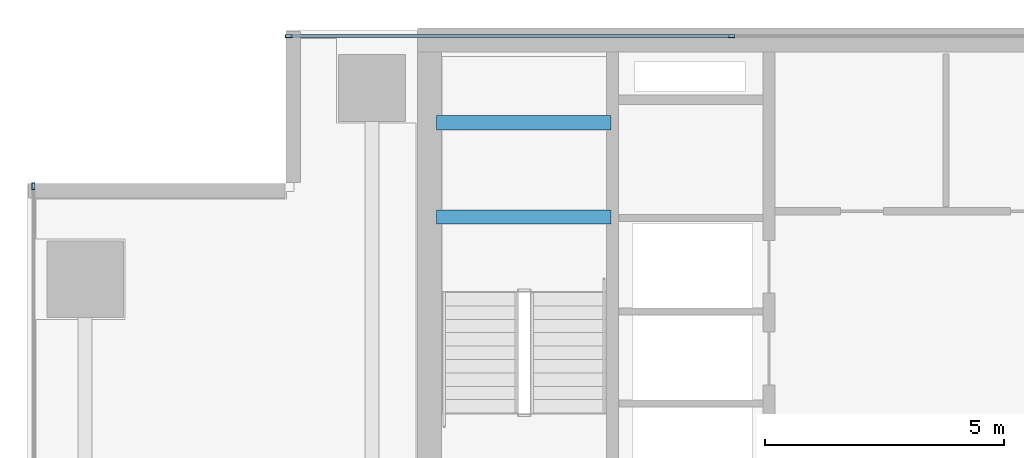
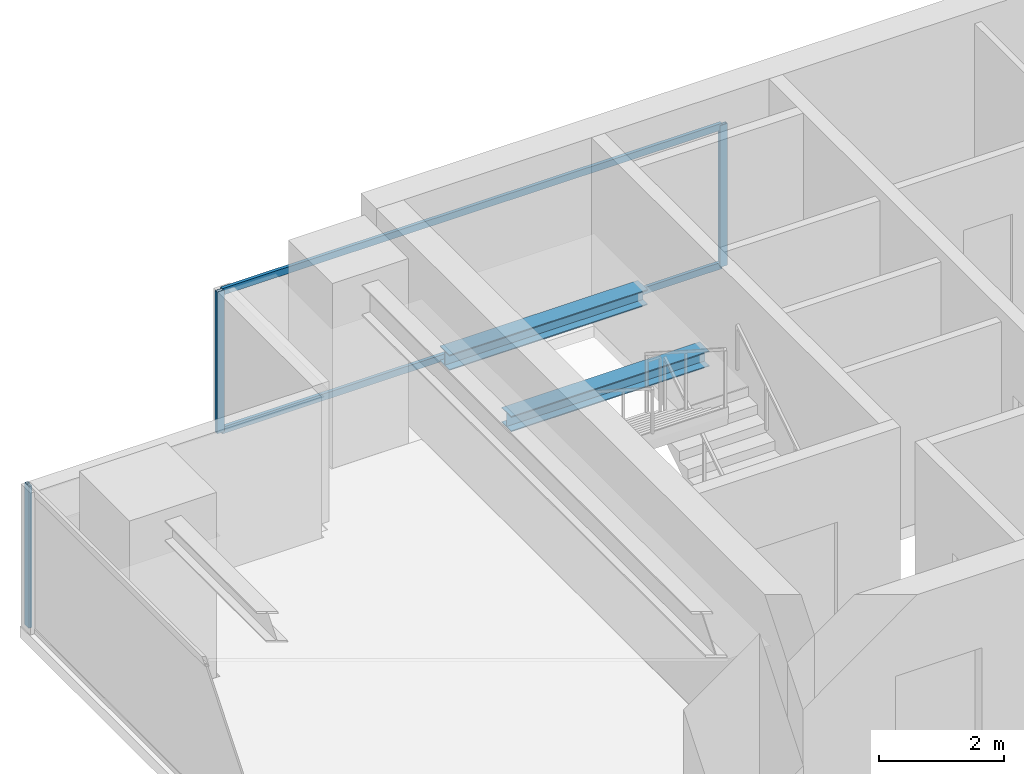
# One storey, part 19 of 29: 5 members, 2 beams, 2 elements without a shape of their own.
"""IFC4 building model written with IfcOpenShell, lengths in metres."""

import ifcopenshell
import ifcopenshell.guid

model = None  # the IFC model being written
_history = None  # IfcOwnerHistory: only IFC2X3 demands one
_inside = {}  # id of a spatial element -> (the spatial element, [elements in it])
_under = {}  # id of a project, library or spatial element -> (it, [spatial elements below it])
_declared = {}  # id of a project -> (the project, [libraries it declares])
_typed = {}  # id of a type object -> (the type object, [elements of that type])
_made_of = {}  # id of a material, layer set ... -> (it, [elements and type objects made of it])


def new_model(schema):
    """Start an empty IFC model of exactly this schema.

    Asked for "IFC4X3", IfcOpenShell would pick the latest addendum, in which some entities
    have other attributes; the version numbers below select the first issue.
    IFC2X3 requires an IfcOwnerHistory on every rooted entity: one is made here for all.
    """
    global model, _history
    if schema == "IFC4X3":
        model = ifcopenshell.file(schema_version=(4, 3, 0, 0))
    else:
        model = ifcopenshell.file(schema=schema)
    _inside.clear()
    _under.clear()
    _declared.clear()
    _typed.clear()
    _made_of.clear()
    _history = None
    if model.schema == "IFC2X3":
        org = make("IfcOrganization", Name="unknown")
        user = make(
            "IfcPersonAndOrganization",
            ThePerson=make("IfcPerson", FamilyName="unknown"),
            TheOrganization=org,
        )
        app = make(
            "IfcApplication",
            ApplicationDeveloper=org,
            Version="unknown",
            ApplicationFullName="unknown",
            ApplicationIdentifier="unknown",
        )
        _history = make(
            "IfcOwnerHistory",
            OwningUser=user,
            OwningApplication=app,
            ChangeAction="ADDED",
            CreationDate=0,
        )
    return model


def make(cls, **values):
    """One entity of the class cls with the attributes given. An attribute that is None is left unset."""
    return model.create_entity(
        cls, **{name: value for name, value in values.items() if value is not None}
    )


def rooted(cls, **values):
    """An entity with a GlobalId (a new one), such as an element, a storey or a relation."""
    return make(cls, GlobalId=ifcopenshell.guid.new(), OwnerHistory=_history, **values)


def si_unit(unit_type, name, prefix=None):
    """IfcSIUnit, for example si_unit("LENGTHUNIT", "METRE", prefix="MILLI")."""
    return make("IfcSIUnit", UnitType=unit_type, Prefix=prefix, Name=name)


def assignment(units):
    """IfcUnitAssignment: the units of a project."""
    return None if units is None else make("IfcUnitAssignment", Units=units)


def point(xyz):
    """IfcCartesianPoint."""
    return None if xyz is None else make("IfcCartesianPoint", Coordinates=xyz)


def direction(xyz):
    """IfcDirection."""
    return None if xyz is None else make("IfcDirection", DirectionRatios=xyz)


def frame(location, z_axis=None, x_axis=None):
    """IfcAxis2Placement3D, a coordinate frame: its origin and axes. An axis left out is left unset."""
    return make(
        "IfcAxis2Placement3D",
        Location=point(location),
        Axis=direction(z_axis),
        RefDirection=direction(x_axis),
    )


def frame_2d(location, x_axis=None):
    """IfcAxis2Placement2D, a coordinate frame in the plane: its origin and x axis."""
    return make(
        "IfcAxis2Placement2D", Location=point(location), RefDirection=direction(x_axis)
    )


def origin():
    """The frame at (0, 0, 0) with its axes left unset."""
    return frame((0.0, 0.0, 0.0))


def origin_2d():
    """The frame at (0, 0) in the plane with its x axis left unset."""
    return frame_2d((0.0, 0.0))


def place(relative_to, where):
    """IfcLocalPlacement: puts the frame where relative to a parent placement (None: the world)."""
    return make(
        "IfcLocalPlacement", PlacementRelTo=relative_to, RelativePlacement=where
    )


def context(
    kind, dimensions, precision=None, world=None, true_north=None, identifier=None
):
    """IfcGeometricRepresentationContext, for example the 3D "Model" context."""
    return make(
        "IfcGeometricRepresentationContext",
        ContextIdentifier=identifier,
        ContextType=kind,
        CoordinateSpaceDimension=dimensions,
        Precision=precision,
        WorldCoordinateSystem=world,
        TrueNorth=true_north,
    )


def subcontext(parent, identifier, kind, view, scale=None):
    """IfcGeometricRepresentationSubContext, for example "Body" below "Model"."""
    return make(
        "IfcGeometricRepresentationSubContext",
        ContextIdentifier=identifier,
        ContextType=kind,
        ParentContext=parent,
        TargetScale=scale,
        TargetView=view,
    )


def project(units=None, contexts=None):
    """IfcProject with its units and contexts."""
    return rooted(
        "IfcProject",
        Name="project",
        RepresentationContexts=contexts,
        UnitsInContext=assignment(units),
    )


def spatial(cls, under=None, at=None, **own):
    """A site, building, storey or space (cls), placed at a placement, below another one or the project."""
    s = rooted(cls, ObjectPlacement=at, **own)
    if under is not None:
        _under.setdefault(under.id(), (under, []))[1].append(s)
    return s


def profile(cls, at=None, kind="AREA", **sizes):
    """A parametric profile (cls). Its sizes go by their IFC names, for example OverallWidth=200.0."""
    return make(cls, ProfileType=kind, Position=at, **sizes)


def hollow_rectangle(**sizes):
    """IfcRectangleHollowProfileDef."""
    return profile("IfcRectangleHollowProfileDef", **sizes)


def i_section(**sizes):
    """IfcIShapeProfileDef."""
    return profile("IfcIShapeProfileDef", **sizes)


def extrude(swept, where, along, depth):
    """IfcExtrudedAreaSolid: the profile swept, set in the frame where, extruded along a direction by depth."""
    return make(
        "IfcExtrudedAreaSolid",
        SweptArea=swept,
        Position=where,
        ExtrudedDirection=direction(along),
        Depth=depth,
    )


def shape(context_of_items, identifier, shape_type, items):
    """IfcShapeRepresentation: the items that make up one representation, for example the "Body"."""
    return make(
        "IfcShapeRepresentation",
        ContextOfItems=context_of_items,
        RepresentationIdentifier=identifier,
        RepresentationType=shape_type,
        Items=items,
    )


def source(mapping_origin, context_of_items, identifier, shape_type, items):
    """IfcRepresentationMap: a shape defined once, which mapped items show again and again."""
    return make(
        "IfcRepresentationMap",
        MappingOrigin=mapping_origin,
        MappedRepresentation=shape(context_of_items, identifier, shape_type, items),
    )


def transform(
    local_origin,
    x_axis=None,
    y_axis=None,
    z_axis=None,
    scale=None,
    scale2=None,
    scale3=None,
    uniform=True,
):
    """IfcCartesianTransformationOperator3D, or its non-uniform kind. x_axis, y_axis, z_axis: its Axis1, 2, 3."""
    if uniform:
        return make(
            "IfcCartesianTransformationOperator3D",
            Axis1=direction(x_axis),
            Axis2=direction(y_axis),
            LocalOrigin=point(local_origin),
            Scale=scale,
            Axis3=direction(z_axis),
        )
    return make(
        "IfcCartesianTransformationOperator3DnonUniform",
        Axis1=direction(x_axis),
        Axis2=direction(y_axis),
        LocalOrigin=point(local_origin),
        Scale=scale,
        Axis3=direction(z_axis),
        Scale2=scale2,
        Scale3=scale3,
    )


def mapped(mapping_source, mapping_target):
    """IfcMappedItem: shows the shape of a source again, moved by a transform."""
    return make(
        "IfcMappedItem", MappingSource=mapping_source, MappingTarget=mapping_target
    )


def material(Name=None, Category=None):
    """IfcMaterial."""
    return make("IfcMaterial", Name=Name, Category=Category)


def layer(
    of_material, thickness, ventilated=None, Name=None, Category=None, Priority=None
):
    """IfcMaterialLayer: one layer of a wall or slab, of a material (None: an air gap)."""
    return make(
        "IfcMaterialLayer",
        Material=of_material,
        LayerThickness=thickness,
        IsVentilated=ventilated,
        Name=Name,
        Category=Category,
        Priority=Priority,
    )


def layer_set(layers, Name=None):
    """IfcMaterialLayerSet."""
    return make("IfcMaterialLayerSet", MaterialLayers=layers, LayerSetName=Name)


def material_profile(
    of_material, cross_section, Name=None, Category=None, Priority=None
):
    """IfcMaterialProfile: a cross section and its material."""
    return make(
        "IfcMaterialProfile",
        Name=Name,
        Material=of_material,
        Profile=cross_section,
        Priority=Priority,
        Category=Category,
    )


def profile_set(profiles, Name=None, composite=None):
    """IfcMaterialProfileSet."""
    return make(
        "IfcMaterialProfileSet",
        Name=Name,
        MaterialProfiles=profiles,
        CompositeProfile=composite,
    )


def made_of(thing, what):
    """Note that an element or type object is made of a material, layer set ...; save() writes the relation."""
    if what is not None:
        _made_of.setdefault(what.id(), (what, []))[1].append(thing)
    return thing


def type_object(cls, material=None, **own):
    """A type object (cls), such as IfcWallType, which elements share."""
    return made_of(rooted(cls, **own), material)


def element(
    cls,
    number,
    at=None,
    inside=None,
    cuts=None,
    type_object=None,
    material=None,
    context=None,
    identifier="Body",
    shape_type=None,
    held_by="IfcProductDefinitionShape",
    body=None,
    shapes=None,
    **own,
):
    """One element of the class cls, such as IfcWall. Its Tag is "e" and its number.

    at: its placement. inside: the storey or other place that contains it. cuts: it is an
    opening in that element (IfcRelVoidsElement). A single representation is given by context,
    identifier, shape_type and body (its items); several are given by shapes. held_by: the class
    of the entity that holds the representations. save() writes the other relations.
    """
    e = rooted(cls, Tag="e%d" % number, ObjectPlacement=at, **own)
    if body is not None:
        shapes = [shape(context, identifier, shape_type, body)]
    if shapes is not None:
        e.Representation = make(held_by, Representations=shapes)
    if inside is not None:
        _inside.setdefault(inside.id(), (inside, []))[1].append(e)
    if cuts is not None:
        rooted(
            "IfcRelVoidsElement", RelatingBuildingElement=cuts, RelatedOpeningElement=e
        )
    if type_object is not None:
        _typed.setdefault(type_object.id(), (type_object, []))[1].append(e)
    return made_of(e, material)


def aggregate(whole, parts):
    """IfcRelAggregates: a whole, such as a stair, and the parts it consists of."""
    return rooted("IfcRelAggregates", RelatingObject=whole, RelatedObjects=parts)


def save(model, path):
    """Write the relations noted so far, then the file.

    IfcRelAggregates (storeys below a building ...), IfcRelContainedInSpatialStructure (elements
    in a storey), IfcRelDefinesByType, IfcRelAssociatesMaterial and IfcRelDeclares: one each for
    every whole, place, type object, material and project.
    """
    for whole, parts in _under.values():
        aggregate(whole, parts)
    for where, things in _inside.values():
        rooted(
            "IfcRelContainedInSpatialStructure",
            RelatedElements=things,
            RelatingStructure=where,
        )
    for kind, things in _typed.values():
        rooted("IfcRelDefinesByType", RelatedObjects=things, RelatingType=kind)
    for what, things in _made_of.values():
        rooted("IfcRelAssociatesMaterial", RelatedObjects=things, RelatingMaterial=what)
    for by, libraries in _declared.values():
        rooted("IfcRelDeclares", RelatingContext=by, RelatedDefinitions=libraries)
    model.write(path)


model = new_model("IFC4")

# Units and contexts
model_context = context("Model", 3, precision=1e-05, world=origin(), true_north=direction((0.0, 1.0)))
body_context = subcontext(model_context, "Body", "Model", "MODEL_VIEW")
ifc_project = project(units=[si_unit("LENGTHUNIT", "METRE"), si_unit("AREAUNIT", "SQUARE_METRE"), si_unit("VOLUMEUNIT", "CUBIC_METRE"), si_unit("PLANEANGLEUNIT", "RADIAN"), si_unit("MASSUNIT", "GRAM", prefix="KILO")], contexts=[model_context])

# Site, building, storey
site_placement = place(None, origin())
site = spatial("IfcSite", under=ifc_project, at=site_placement, CompositionType="ELEMENT")
building_placement = place(site_placement, origin())
building = spatial("IfcBuilding", under=site, at=building_placement, Name="Sumidabori Civic Tower", CompositionType="ELEMENT")
storey_placement = place(building_placement, frame((0.0, 0.0, 203.60009765625)))
storey = spatial("IfcBuildingStorey", under=building, at=storey_placement, Name="L52", CompositionType="ELEMENT", Elevation=203.60009765625)

# Beams
ifc_material_1 = material(Name="Steel SN490", Category="steel")
ifc_material_profile_1 = material_profile(ifc_material_1, i_section(OverallWidth=0.300048828125, OverallDepth=0.300048828125, WebThickness=0.010986328125, FlangeThickness=0.01904296875, at=origin_2d()), Name="HE 300 B")
ifc_profile_set_1 = profile_set([ifc_material_profile_1], Name="Steel SN490")
beam_type = type_object("IfcBeamType", Name="BM-LDG-300", PredefinedType="BEAM", material=ifc_profile_set_1)
shared_shape_1 = source(origin(), body_context, "Body", "SweptSolid", [
    extrude(i_section(OverallWidth=0.300048828125, OverallDepth=0.300048828125, WebThickness=0.010986328125, FlangeThickness=0.01904296875, at=origin_2d()), origin(), (0.0, 0.0, 1.0), 3.64990234375),
])
for number, where, z_axis, x_axis, name in (
    (1, (-15.449951171875, 20.09765625, 1.449951171875), (1.0, 0.0, 0.0), (0.0, 1.0, 0.0), "Stair ST-1 Landing Support Beam L52-1A"),
    (2, (-15.449951171875, 22.069580078125, 1.449951171875), (1.0, 0.0, 0.0), (0.0, 1.0, 0.0), "Stair ST-1 Landing Trimmer Beam L52-1B"),
):
    element("IfcBeam", number, at=place(storey_placement, frame(where, z_axis=z_axis, x_axis=x_axis)), inside=storey, type_object=beam_type, Name=name, PredefinedType="BEAM", context=body_context, shape_type="MappedRepresentation", body=[
        mapped(shared_shape_1, transform((0.0, 0.0, 0.0), x_axis=(1.0, 0.0, 0.0), y_axis=(0.0, 1.0, 0.0), z_axis=(0.0, 0.0, 1.0), scale=1.0)),
    ])

# Curtain wall, members
ifc_material_2 = material(Name="Anodised Bronze Aluminium AW-6063-T6", Category="aluminium")
ifc_layer = layer(ifc_material_2, 0.179931640625, Name="Anodised Bronze Aluminium AW-6063-T6")
ifc_layer_set = layer_set([ifc_layer], Name="Anodised Bronze Aluminium AW-6063-T6")
curtain_wall_type = type_object("IfcCurtainWallType", Name="CW-SYS-5", PredefinedType="NOTDEFINED", material=ifc_layer_set)
curtain_wall_1_placement = place(storey_placement, origin())
curtain_wall_1 = element("IfcCurtainWall", 3, at=curtain_wall_1_placement, inside=storey, type_object=curtain_wall_type, Name="Curtain Wall CW:L52:R13", PredefinedType="NOTDEFINED")
ifc_material_profile_2 = material_profile(ifc_material_2, hollow_rectangle(XDim=0.06005859375, YDim=0.139892578125, WallThickness=0.0048828125, at=origin_2d()), Name="ALU MULLION 140x60")
ifc_profile_set_2 = profile_set([ifc_material_profile_2], Name="Anodised Bronze Aluminium AW-6063-T6")
member_type_1 = type_object("IfcMemberType", Name="CW-MUL-140", PredefinedType="MULLION", material=ifc_profile_set_2)
shared_shape_2 = source(origin(), body_context, "Body", "SweptSolid", [
    extrude(hollow_rectangle(XDim=0.06005859375, YDim=0.139892578125, WallThickness=0.0048828125, at=origin_2d()), origin(), (0.0, 0.0, 1.0), 2.760009765625),
])
member_1_placement = place(storey_placement, frame((-9.284912109375, 23.8798828125, 0.0), z_axis=(0.0, 0.0, 1.0), x_axis=(0.0, -1.0, 0.0)))
member_1 = element("IfcMember", 4, at=member_1_placement, type_object=member_type_1, Name="CW-5 mullion 4", PredefinedType="MULLION", context=body_context, shape_type="MappedRepresentation", body=[
    mapped(shared_shape_2, transform((0.0, 0.0, 0.0), x_axis=(1.0, 0.0, 0.0), y_axis=(0.0, 1.0, 0.0), z_axis=(0.0, 0.0, 1.0), scale=1.0)),
])
member_2_placement = place(storey_placement, frame((-18.5400390625, 23.8798828125, 0.0), z_axis=(0.0, 0.0, 1.0), x_axis=(0.0, -1.0, 0.0)))
member_2 = element("IfcMember", 5, at=member_2_placement, type_object=member_type_1, Name="CW-5 mullion 5", PredefinedType="MULLION", context=body_context, shape_type="MappedRepresentation", body=[
    mapped(shared_shape_2, transform((0.0, 0.0, 0.0), x_axis=(1.0, 0.0, 0.0), y_axis=(0.0, 1.0, 0.0), z_axis=(0.0, 0.0, 1.0), scale=1.0)),
])

# Curtain wall, member
curtain_wall_2_placement = place(storey_placement, origin())
curtain_wall_2 = element("IfcCurtainWall", 6, at=curtain_wall_2_placement, inside=storey, type_object=curtain_wall_type, Name="Curtain Wall CW:L52:R16", PredefinedType="NOTDEFINED")
member_3_placement = place(storey_placement, frame((-23.8798828125, 20.739990234375, 0.0), z_axis=(0.0, 0.0, 1.0), x_axis=(1.0, 0.0, 0.0)))
member_3 = element("IfcMember", 7, at=member_3_placement, type_object=member_type_1, Name="CW-5 mullion 1", PredefinedType="MULLION", context=body_context, shape_type="MappedRepresentation", body=[
    mapped(shared_shape_2, transform((0.0, 0.0, 0.0), x_axis=(1.0, 0.0, 0.0), y_axis=(0.0, 1.0, 0.0), z_axis=(0.0, 0.0, 1.0), scale=1.0)),
])
aggregate(curtain_wall_2, [member_3])

# Member
ifc_material_profile_3 = material_profile(ifc_material_2, hollow_rectangle(XDim=0.06005859375, YDim=0.1298828125, WallThickness=0.0048828125, at=origin_2d()), Name="ALU TRANSOM 130x60")
ifc_profile_set_3 = profile_set([ifc_material_profile_3], Name="Anodised Bronze Aluminium AW-6063-T6")
member_type_2 = type_object("IfcMemberType", Name="CW-TRN-130", PredefinedType="USERDEFINED", material=ifc_profile_set_3)
shared_shape_3 = source(origin(), body_context, "Body", "SweptSolid", [
    extrude(hollow_rectangle(XDim=0.06005859375, YDim=0.1298828125, WallThickness=0.0048828125, at=origin_2d()), origin(), (0.0, 0.0, 1.0), 9.195068359375),
])
member_4_placement = place(storey_placement, frame((-9.31494140625, 23.8798828125, 0.02978515625), z_axis=(-1.0, 0.0, 0.0), x_axis=(0.0, -1.0, 0.0)))
member_4 = element("IfcMember", 8, at=member_4_placement, type_object=member_type_2, Name="CW-5 transom 4.1", ObjectType="TRANSOM", PredefinedType="USERDEFINED", context=body_context, shape_type="MappedRepresentation", body=[
    mapped(shared_shape_3, transform((0.0, 0.0, 0.0), x_axis=(1.0, 0.0, 0.0), y_axis=(0.0, 1.0, 0.0), z_axis=(0.0, 0.0, 1.0), scale=1.0)),
])

member_5_placement = place(storey_placement, frame((-9.31494140625, 23.8798828125, 2.72998046875), z_axis=(-1.0, 0.0, 0.0), x_axis=(0.0, -1.0, 0.0)))
member_5 = element("IfcMember", 9, at=member_5_placement, type_object=member_type_2, Name="CW-5 transom 4.2", ObjectType="TRANSOM", PredefinedType="USERDEFINED", context=body_context, shape_type="MappedRepresentation", body=[
    mapped(shared_shape_3, transform((0.0, 0.0, 0.0), x_axis=(1.0, 0.0, 0.0), y_axis=(0.0, 1.0, 0.0), z_axis=(0.0, 0.0, 1.0), scale=1.0)),
])

aggregate(curtain_wall_1, [member_1, member_2, member_4, member_5])

save(model, "model.ifc")
